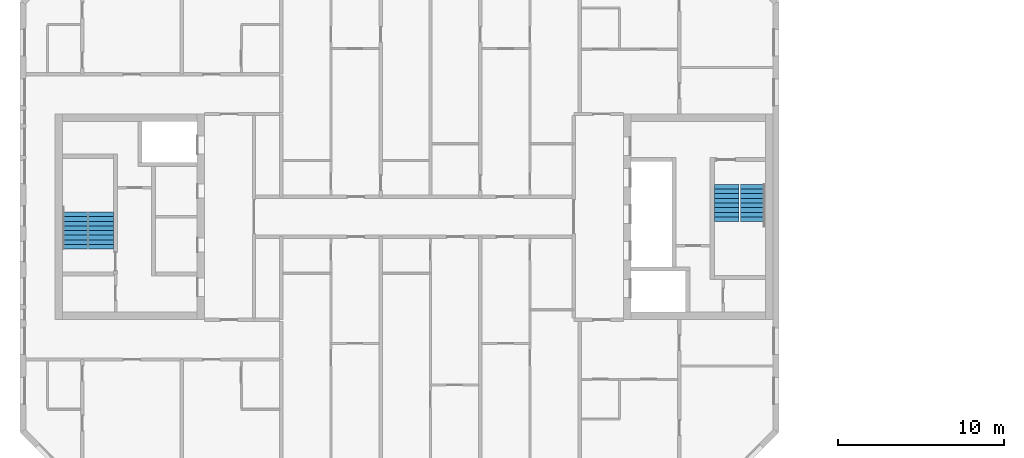
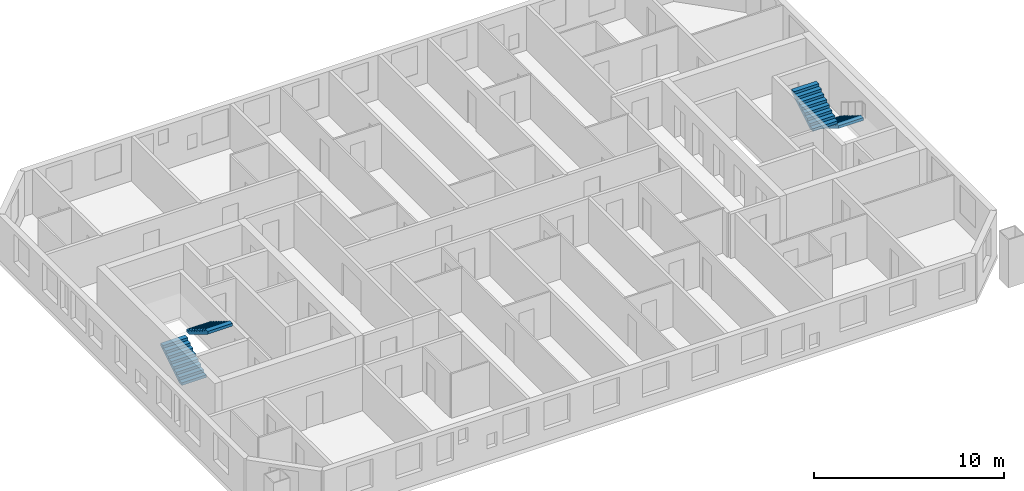
# One storey, part 15 of 16: 4 stair flights, 2 elements without a shape of their own.
"""IFC4 building model written with IfcOpenShell, lengths in metres."""

import ifcopenshell
import ifcopenshell.guid

model = None  # the IFC model being written
_history = None  # IfcOwnerHistory: only IFC2X3 demands one
_inside = {}  # id of a spatial element -> (the spatial element, [elements in it])
_under = {}  # id of a project, library or spatial element -> (it, [spatial elements below it])
_declared = {}  # id of a project -> (the project, [libraries it declares])
_typed = {}  # id of a type object -> (the type object, [elements of that type])
_made_of = {}  # id of a material, layer set ... -> (it, [elements and type objects made of it])


def new_model(schema):
    """Start an empty IFC model of exactly this schema.

    Asked for "IFC4X3", IfcOpenShell would pick the latest addendum, in which some entities
    have other attributes; the version numbers below select the first issue.
    IFC2X3 requires an IfcOwnerHistory on every rooted entity: one is made here for all.
    """
    global model, _history
    if schema == "IFC4X3":
        model = ifcopenshell.file(schema_version=(4, 3, 0, 0))
    else:
        model = ifcopenshell.file(schema=schema)
    _inside.clear()
    _under.clear()
    _declared.clear()
    _typed.clear()
    _made_of.clear()
    _history = None
    if model.schema == "IFC2X3":
        org = make("IfcOrganization", Name="unknown")
        user = make(
            "IfcPersonAndOrganization",
            ThePerson=make("IfcPerson", FamilyName="unknown"),
            TheOrganization=org,
        )
        app = make(
            "IfcApplication",
            ApplicationDeveloper=org,
            Version="unknown",
            ApplicationFullName="unknown",
            ApplicationIdentifier="unknown",
        )
        _history = make(
            "IfcOwnerHistory",
            OwningUser=user,
            OwningApplication=app,
            ChangeAction="ADDED",
            CreationDate=0,
        )
    return model


def make(cls, **values):
    """One entity of the class cls with the attributes given. An attribute that is None is left unset."""
    return model.create_entity(
        cls, **{name: value for name, value in values.items() if value is not None}
    )


def rooted(cls, **values):
    """An entity with a GlobalId (a new one), such as an element, a storey or a relation."""
    return make(cls, GlobalId=ifcopenshell.guid.new(), OwnerHistory=_history, **values)


def si_unit(unit_type, name, prefix=None):
    """IfcSIUnit, for example si_unit("LENGTHUNIT", "METRE", prefix="MILLI")."""
    return make("IfcSIUnit", UnitType=unit_type, Prefix=prefix, Name=name)


def assignment(units):
    """IfcUnitAssignment: the units of a project."""
    return None if units is None else make("IfcUnitAssignment", Units=units)


def point(xyz):
    """IfcCartesianPoint."""
    return None if xyz is None else make("IfcCartesianPoint", Coordinates=xyz)


def direction(xyz):
    """IfcDirection."""
    return None if xyz is None else make("IfcDirection", DirectionRatios=xyz)


def frame(location, z_axis=None, x_axis=None):
    """IfcAxis2Placement3D, a coordinate frame: its origin and axes. An axis left out is left unset."""
    return make(
        "IfcAxis2Placement3D",
        Location=point(location),
        Axis=direction(z_axis),
        RefDirection=direction(x_axis),
    )


def origin():
    """The frame at (0, 0, 0) with its axes left unset."""
    return frame((0.0, 0.0, 0.0))


def place(relative_to, where):
    """IfcLocalPlacement: puts the frame where relative to a parent placement (None: the world)."""
    return make(
        "IfcLocalPlacement", PlacementRelTo=relative_to, RelativePlacement=where
    )


def context(
    kind, dimensions, precision=None, world=None, true_north=None, identifier=None
):
    """IfcGeometricRepresentationContext, for example the 3D "Model" context."""
    return make(
        "IfcGeometricRepresentationContext",
        ContextIdentifier=identifier,
        ContextType=kind,
        CoordinateSpaceDimension=dimensions,
        Precision=precision,
        WorldCoordinateSystem=world,
        TrueNorth=true_north,
    )


def subcontext(parent, identifier, kind, view, scale=None):
    """IfcGeometricRepresentationSubContext, for example "Body" below "Model"."""
    return make(
        "IfcGeometricRepresentationSubContext",
        ContextIdentifier=identifier,
        ContextType=kind,
        ParentContext=parent,
        TargetScale=scale,
        TargetView=view,
    )


def project(units=None, contexts=None):
    """IfcProject with its units and contexts."""
    return rooted(
        "IfcProject",
        Name="project",
        RepresentationContexts=contexts,
        UnitsInContext=assignment(units),
    )


def spatial(cls, under=None, at=None, **own):
    """A site, building, storey or space (cls), placed at a placement, below another one or the project."""
    s = rooted(cls, ObjectPlacement=at, **own)
    if under is not None:
        _under.setdefault(under.id(), (under, []))[1].append(s)
    return s


def faces_of(points, faces, orient=None, outer=None):
    """IfcFace entities. A face is a list of loops; a loop is a list of indices into points, from 0.

    orient and outer hold one flag for each loop. By default every Orientation is true, the
    first loop of a face is its IfcFaceOuterBound and the others are IfcFaceBound.
    """
    made = []
    for i, loops in enumerate(faces):
        bounds = []
        for j, loop in enumerate(loops):
            is_outer = j == 0 if outer is None else outer[i][j]
            bounds.append(
                make(
                    "IfcFaceOuterBound" if is_outer else "IfcFaceBound",
                    Bound=make("IfcPolyLoop", Polygon=[points[k] for k in loop]),
                    Orientation=True if orient is None else orient[i][j],
                )
            )
        made.append(make("IfcFace", Bounds=bounds))
    return made


def faceted_brep(points, faces, orient=None, outer=None, voids=None):
    """IfcFacetedBrep: a solid bounded by flat faces; with voids (closed shells), ...WithVoids."""
    shared = [point(p) for p in points]
    hull = make("IfcClosedShell", CfsFaces=faces_of(shared, faces, orient, outer))
    if voids is None:
        return make("IfcFacetedBrep", Outer=hull)
    return make(
        "IfcFacetedBrepWithVoids",
        Outer=hull,
        Voids=[
            make(cls, CfsFaces=faces_of(shared, fs, o, b)) for cls, fs, o, b in voids
        ],
    )


def shape(context_of_items, identifier, shape_type, items):
    """IfcShapeRepresentation: the items that make up one representation, for example the "Body"."""
    return make(
        "IfcShapeRepresentation",
        ContextOfItems=context_of_items,
        RepresentationIdentifier=identifier,
        RepresentationType=shape_type,
        Items=items,
    )


def material(Name=None, Category=None):
    """IfcMaterial."""
    return make("IfcMaterial", Name=Name, Category=Category)


def made_of(thing, what):
    """Note that an element or type object is made of a material, layer set ...; save() writes the relation."""
    if what is not None:
        _made_of.setdefault(what.id(), (what, []))[1].append(thing)
    return thing


def type_object(cls, material=None, **own):
    """A type object (cls), such as IfcWallType, which elements share."""
    return made_of(rooted(cls, **own), material)


def element(
    cls,
    number,
    at=None,
    inside=None,
    cuts=None,
    type_object=None,
    material=None,
    context=None,
    identifier="Body",
    shape_type=None,
    held_by="IfcProductDefinitionShape",
    body=None,
    shapes=None,
    **own,
):
    """One element of the class cls, such as IfcWall. Its Tag is "e" and its number.

    at: its placement. inside: the storey or other place that contains it. cuts: it is an
    opening in that element (IfcRelVoidsElement). A single representation is given by context,
    identifier, shape_type and body (its items); several are given by shapes. held_by: the class
    of the entity that holds the representations. save() writes the other relations.
    """
    e = rooted(cls, Tag="e%d" % number, ObjectPlacement=at, **own)
    if body is not None:
        shapes = [shape(context, identifier, shape_type, body)]
    if shapes is not None:
        e.Representation = make(held_by, Representations=shapes)
    if inside is not None:
        _inside.setdefault(inside.id(), (inside, []))[1].append(e)
    if cuts is not None:
        rooted(
            "IfcRelVoidsElement", RelatingBuildingElement=cuts, RelatedOpeningElement=e
        )
    if type_object is not None:
        _typed.setdefault(type_object.id(), (type_object, []))[1].append(e)
    return made_of(e, material)


def aggregate(whole, parts):
    """IfcRelAggregates: a whole, such as a stair, and the parts it consists of."""
    return rooted("IfcRelAggregates", RelatingObject=whole, RelatedObjects=parts)


def save(model, path):
    """Write the relations noted so far, then the file.

    IfcRelAggregates (storeys below a building ...), IfcRelContainedInSpatialStructure (elements
    in a storey), IfcRelDefinesByType, IfcRelAssociatesMaterial and IfcRelDeclares: one each for
    every whole, place, type object, material and project.
    """
    for whole, parts in _under.values():
        aggregate(whole, parts)
    for where, things in _inside.values():
        rooted(
            "IfcRelContainedInSpatialStructure",
            RelatedElements=things,
            RelatingStructure=where,
        )
    for kind, things in _typed.values():
        rooted("IfcRelDefinesByType", RelatedObjects=things, RelatingType=kind)
    for what, things in _made_of.values():
        rooted("IfcRelAssociatesMaterial", RelatedObjects=things, RelatingMaterial=what)
    for by, libraries in _declared.values():
        rooted("IfcRelDeclares", RelatingContext=by, RelatedDefinitions=libraries)
    model.write(path)


model = new_model("IFC4")

# Units and contexts
model_context = context("Model", 3, precision=1e-05, world=origin(), true_north=direction((0.0, 1.0)))
body_context = subcontext(model_context, "Body", "Model", "MODEL_VIEW")
ifc_project = project(units=[si_unit("LENGTHUNIT", "METRE"), si_unit("AREAUNIT", "SQUARE_METRE"), si_unit("VOLUMEUNIT", "CUBIC_METRE"), si_unit("PLANEANGLEUNIT", "RADIAN"), si_unit("MASSUNIT", "GRAM", prefix="KILO")], contexts=[model_context])

# Site, building, storey
site_placement = place(None, origin())
site = spatial("IfcSite", under=ifc_project, at=site_placement, CompositionType="ELEMENT")
building_placement = place(site_placement, origin())
building = spatial("IfcBuilding", under=site, at=building_placement, Name="Tuart Gate Housing", CompositionType="ELEMENT")
storey_placement = place(building_placement, frame((0.0, 0.0, 182.0)))
storey = spatial("IfcBuildingStorey", under=building, at=storey_placement, Name="L51", CompositionType="ELEMENT", Elevation=182.0)

# Stair, stair flights
ifc_material_1 = material(Name="Concrete C40", Category="concrete")
stair_type = type_object("IfcStairType", Name="Core stair 1500", PredefinedType="HALF_TURN_STAIR", material=ifc_material_1)
stair_1_placement = place(storey_placement, origin())
stair_1 = element("IfcStair", 1, at=stair_1_placement, inside=storey, type_object=stair_type, Name="Stair SA1", PredefinedType="HALF_TURN_STAIR")
ifc_material_2 = material(Name="Concrete C40", Category="concrete")
stair_flight_type = type_object("IfcStairFlightType", Name="Stair flight 1500, 9 risers 172 x 280", PredefinedType="STRAIGHT", material=ifc_material_2)
stair_flight_1_placement = place(storey_placement, frame((74.43994140625, 71.949951171875, 0.0), z_axis=(0.0, 0.0, 1.0), x_axis=(0.0, -1.0, 0.0)))
stair_flight_1 = element("IfcStairFlight", 2, at=stair_flight_1_placement, type_object=stair_flight_type, Name="SA1 flight 1", NumberOfRisers=9, NumberOfTreads=8, PredefinedType="STRAIGHT", RiserHeight=0.172222222, TreadLength=0.28, context=body_context, shape_type="Brep", body=[
    faceted_brep([(0.0, 0.75, 0.0), (0.0, 0.75, 0.172119140625), (0.280029296875, 0.75, 0.172119140625), (0.280029296875, 0.75, 0.344482421875), (0.56005859375, 0.75, 0.344482421875), (0.56005859375, 0.75, 0.5166015625), (0.840087890625, 0.75, 0.5166015625), (0.840087890625, 0.75, 0.68896484375), (1.1201171875, 0.75, 0.68896484375), (1.1201171875, 0.75, 0.861083984375), (1.39990234375, 0.75, 0.861083984375), (1.39990234375, 0.75, 1.033447265625), (1.679931640625, 0.75, 1.033447265625), (1.679931640625, 0.75, 1.20556640625), (1.9599609375, 0.75, 1.20556640625), (1.9599609375, 0.75, 1.377685546875), (2.239990234375, 0.75, 1.377685546875), (2.239990234375, 0.75, 1.201904296875), (0.2861328125, 0.75, 0.0), (0.2861328125, -0.75, 0.0), (2.239990234375, -0.75, 1.201904296875), (2.239990234375, -0.75, 1.377685546875), (1.9599609375, -0.75, 1.377685546875), (1.9599609375, -0.75, 1.20556640625), (1.679931640625, -0.75, 1.20556640625), (1.679931640625, -0.75, 1.033447265625), (1.39990234375, -0.75, 1.033447265625), (1.39990234375, -0.75, 0.861083984375), (1.1201171875, -0.75, 0.861083984375), (1.1201171875, -0.75, 0.68896484375), (0.840087890625, -0.75, 0.68896484375), (0.840087890625, -0.75, 0.5166015625), (0.56005859375, -0.75, 0.5166015625), (0.56005859375, -0.75, 0.344482421875), (0.280029296875, -0.75, 0.344482421875), (0.280029296875, -0.75, 0.172119140625), (0.0, -0.75, 0.172119140625), (0.0, -0.75, 0.0), (2.239990234375, 0.0, 1.201904296875), (0.2861328125, 0.0, 0.0), (2.239990234375, 0.0, 1.377685546875), (1.9599609375, 0.0, 1.377685546875), (1.9599609375, 0.0, 1.20556640625), (1.679931640625, 0.0, 1.20556640625), (1.679931640625, 0.0, 1.033447265625), (1.39990234375, 0.0, 1.033447265625), (1.39990234375, 0.0, 0.861083984375), (1.1201171875, 0.0, 0.861083984375), (1.1201171875, 0.0, 0.68896484375), (0.840087890625, 0.0, 0.68896484375), (0.840087890625, 0.0, 0.5166015625), (0.56005859375, 0.0, 0.5166015625), (0.56005859375, 0.0, 0.344482421875), (0.280029296875, 0.0, 0.344482421875), (0.280029296875, 0.0, 0.172119140625), (0.0, 0.0, 0.172119140625), (0.0, 0.0, 0.0)], [[[0, 1, 2, 3, 4, 5, 6, 7, 8, 9, 10, 11, 12, 13, 14, 15, 16, 17, 18]], [[19, 20, 21, 22, 23, 24, 25, 26, 27, 28, 29, 30, 31, 32, 33, 34, 35, 36, 37]], [[18, 17, 38, 39]], [[39, 38, 20, 19]], [[17, 16, 40, 38]], [[38, 40, 21, 20]], [[16, 15, 41, 40]], [[40, 41, 22, 21]], [[15, 14, 42, 41]], [[41, 42, 23, 22]], [[14, 13, 43, 42]], [[42, 43, 24, 23]], [[13, 12, 44, 43]], [[43, 44, 25, 24]], [[12, 11, 45, 44]], [[44, 45, 26, 25]], [[11, 10, 46, 45]], [[45, 46, 27, 26]], [[10, 9, 47, 46]], [[46, 47, 28, 27]], [[9, 8, 48, 47]], [[47, 48, 29, 28]], [[8, 7, 49, 48]], [[48, 49, 30, 29]], [[7, 6, 50, 49]], [[49, 50, 31, 30]], [[6, 5, 51, 50]], [[50, 51, 32, 31]], [[5, 4, 52, 51]], [[51, 52, 33, 32]], [[4, 3, 53, 52]], [[52, 53, 34, 33]], [[3, 2, 54, 53]], [[53, 54, 35, 34]], [[2, 1, 55, 54]], [[54, 55, 36, 35]], [[1, 0, 56, 55]], [[55, 56, 37, 36]], [[0, 18, 39, 56]], [[56, 39, 19, 37]]]),
])
stair_flight_2_placement = place(storey_placement, frame((72.864990234375, 69.7099609375, 1.550048828125), z_axis=(0.0, 0.0, 1.0), x_axis=(0.0, 1.0, 0.0)))
stair_flight_2 = element("IfcStairFlight", 3, at=stair_flight_2_placement, type_object=stair_flight_type, Name="SA1 flight 2", NumberOfRisers=9, NumberOfTreads=8, PredefinedType="STRAIGHT", RiserHeight=0.172222222, TreadLength=0.28, context=body_context, shape_type="Brep", body=[
    faceted_brep([(0.0, 0.75, 0.0), (0.0, 0.75, 0.172119140625), (0.280029296875, 0.75, 0.172119140625), (0.280029296875, 0.75, 0.344482421875), (0.56005859375, 0.75, 0.344482421875), (0.56005859375, 0.75, 0.5166015625), (0.840087890625, 0.75, 0.5166015625), (0.840087890625, 0.75, 0.68896484375), (1.1201171875, 0.75, 0.68896484375), (1.1201171875, 0.75, 0.861083984375), (1.39990234375, 0.75, 0.861083984375), (1.39990234375, 0.75, 1.033447265625), (1.679931640625, 0.75, 1.033447265625), (1.679931640625, 0.75, 1.20556640625), (1.9599609375, 0.75, 1.20556640625), (1.9599609375, 0.75, 1.377685546875), (2.239990234375, 0.75, 1.377685546875), (2.239990234375, 0.75, 1.201904296875), (0.2861328125, 0.75, 0.0), (0.2861328125, -0.75, 0.0), (2.239990234375, -0.75, 1.201904296875), (2.239990234375, -0.75, 1.377685546875), (1.9599609375, -0.75, 1.377685546875), (1.9599609375, -0.75, 1.20556640625), (1.679931640625, -0.75, 1.20556640625), (1.679931640625, -0.75, 1.033447265625), (1.39990234375, -0.75, 1.033447265625), (1.39990234375, -0.75, 0.861083984375), (1.1201171875, -0.75, 0.861083984375), (1.1201171875, -0.75, 0.68896484375), (0.840087890625, -0.75, 0.68896484375), (0.840087890625, -0.75, 0.5166015625), (0.56005859375, -0.75, 0.5166015625), (0.56005859375, -0.75, 0.344482421875), (0.280029296875, -0.75, 0.344482421875), (0.280029296875, -0.75, 0.172119140625), (0.0, -0.75, 0.172119140625), (0.0, -0.75, 0.0), (2.239990234375, 0.0, 1.201904296875), (0.2861328125, 0.0, 0.0), (2.239990234375, 0.0, 1.377685546875), (1.9599609375, 0.0, 1.377685546875), (1.9599609375, 0.0, 1.20556640625), (1.679931640625, 0.0, 1.20556640625), (1.679931640625, 0.0, 1.033447265625), (1.39990234375, 0.0, 1.033447265625), (1.39990234375, 0.0, 0.861083984375), (1.1201171875, 0.0, 0.861083984375), (1.1201171875, 0.0, 0.68896484375), (0.840087890625, 0.0, 0.68896484375), (0.840087890625, 0.0, 0.5166015625), (0.56005859375, 0.0, 0.5166015625), (0.56005859375, 0.0, 0.344482421875), (0.280029296875, 0.0, 0.344482421875), (0.280029296875, 0.0, 0.172119140625), (0.0, 0.0, 0.172119140625), (0.0, 0.0, 0.0)], [[[0, 1, 2, 3, 4, 5, 6, 7, 8, 9, 10, 11, 12, 13, 14, 15, 16, 17, 18]], [[19, 20, 21, 22, 23, 24, 25, 26, 27, 28, 29, 30, 31, 32, 33, 34, 35, 36, 37]], [[18, 17, 38, 39]], [[39, 38, 20, 19]], [[17, 16, 40, 38]], [[38, 40, 21, 20]], [[16, 15, 41, 40]], [[40, 41, 22, 21]], [[15, 14, 42, 41]], [[41, 42, 23, 22]], [[14, 13, 43, 42]], [[42, 43, 24, 23]], [[13, 12, 44, 43]], [[43, 44, 25, 24]], [[12, 11, 45, 44]], [[44, 45, 26, 25]], [[11, 10, 46, 45]], [[45, 46, 27, 26]], [[10, 9, 47, 46]], [[46, 47, 28, 27]], [[9, 8, 48, 47]], [[47, 48, 29, 28]], [[8, 7, 49, 48]], [[48, 49, 30, 29]], [[7, 6, 50, 49]], [[49, 50, 31, 30]], [[6, 5, 51, 50]], [[50, 51, 32, 31]], [[5, 4, 52, 51]], [[51, 52, 33, 32]], [[4, 3, 53, 52]], [[52, 53, 34, 33]], [[3, 2, 54, 53]], [[53, 54, 35, 34]], [[2, 1, 55, 54]], [[54, 55, 36, 35]], [[1, 0, 56, 55]], [[55, 56, 37, 36]], [[0, 18, 39, 56]], [[56, 39, 19, 37]]]),
])
aggregate(stair_1, [stair_flight_1, stair_flight_2])

stair_2_placement = place(storey_placement, origin())
stair_2 = element("IfcStair", 4, at=stair_2_placement, inside=storey, type_object=stair_type, Name="Stair SA2", PredefinedType="HALF_TURN_STAIR")
stair_flight_3_placement = place(storey_placement, frame((33.56005859375, 68.050048828125, 0.0), z_axis=(0.0, 0.0, 1.0), x_axis=(0.0, 1.0, 0.0)))
stair_flight_3 = element("IfcStairFlight", 5, at=stair_flight_3_placement, type_object=stair_flight_type, Name="SA2 flight 1", NumberOfRisers=9, NumberOfTreads=8, PredefinedType="STRAIGHT", RiserHeight=0.172222222, TreadLength=0.28, context=body_context, shape_type="Brep", body=[
    faceted_brep([(0.0, 0.75, 0.0), (0.0, 0.75, 0.172119140625), (0.280029296875, 0.75, 0.172119140625), (0.280029296875, 0.75, 0.344482421875), (0.56005859375, 0.75, 0.344482421875), (0.56005859375, 0.75, 0.5166015625), (0.840087890625, 0.75, 0.5166015625), (0.840087890625, 0.75, 0.68896484375), (1.1201171875, 0.75, 0.68896484375), (1.1201171875, 0.75, 0.861083984375), (1.39990234375, 0.75, 0.861083984375), (1.39990234375, 0.75, 1.033447265625), (1.679931640625, 0.75, 1.033447265625), (1.679931640625, 0.75, 1.20556640625), (1.9599609375, 0.75, 1.20556640625), (1.9599609375, 0.75, 1.377685546875), (2.239990234375, 0.75, 1.377685546875), (2.239990234375, 0.75, 1.201904296875), (0.2861328125, 0.75, 0.0), (0.2861328125, -0.75, 0.0), (2.239990234375, -0.75, 1.201904296875), (2.239990234375, -0.75, 1.377685546875), (1.9599609375, -0.75, 1.377685546875), (1.9599609375, -0.75, 1.20556640625), (1.679931640625, -0.75, 1.20556640625), (1.679931640625, -0.75, 1.033447265625), (1.39990234375, -0.75, 1.033447265625), (1.39990234375, -0.75, 0.861083984375), (1.1201171875, -0.75, 0.861083984375), (1.1201171875, -0.75, 0.68896484375), (0.840087890625, -0.75, 0.68896484375), (0.840087890625, -0.75, 0.5166015625), (0.56005859375, -0.75, 0.5166015625), (0.56005859375, -0.75, 0.344482421875), (0.280029296875, -0.75, 0.344482421875), (0.280029296875, -0.75, 0.172119140625), (0.0, -0.75, 0.172119140625), (0.0, -0.75, 0.0), (2.239990234375, 0.0, 1.201904296875), (0.2861328125, 0.0, 0.0), (2.239990234375, 0.0, 1.377685546875), (1.9599609375, 0.0, 1.377685546875), (1.9599609375, 0.0, 1.20556640625), (1.679931640625, 0.0, 1.20556640625), (1.679931640625, 0.0, 1.033447265625), (1.39990234375, 0.0, 1.033447265625), (1.39990234375, 0.0, 0.861083984375), (1.1201171875, 0.0, 0.861083984375), (1.1201171875, 0.0, 0.68896484375), (0.840087890625, 0.0, 0.68896484375), (0.840087890625, 0.0, 0.5166015625), (0.56005859375, 0.0, 0.5166015625), (0.56005859375, 0.0, 0.344482421875), (0.280029296875, 0.0, 0.344482421875), (0.280029296875, 0.0, 0.172119140625), (0.0, 0.0, 0.172119140625), (0.0, 0.0, 0.0)], [[[0, 1, 2, 3, 4, 5, 6, 7, 8, 9, 10, 11, 12, 13, 14, 15, 16, 17, 18]], [[19, 20, 21, 22, 23, 24, 25, 26, 27, 28, 29, 30, 31, 32, 33, 34, 35, 36, 37]], [[18, 17, 38, 39]], [[39, 38, 20, 19]], [[17, 16, 40, 38]], [[38, 40, 21, 20]], [[16, 15, 41, 40]], [[40, 41, 22, 21]], [[15, 14, 42, 41]], [[41, 42, 23, 22]], [[14, 13, 43, 42]], [[42, 43, 24, 23]], [[13, 12, 44, 43]], [[43, 44, 25, 24]], [[12, 11, 45, 44]], [[44, 45, 26, 25]], [[11, 10, 46, 45]], [[45, 46, 27, 26]], [[10, 9, 47, 46]], [[46, 47, 28, 27]], [[9, 8, 48, 47]], [[47, 48, 29, 28]], [[8, 7, 49, 48]], [[48, 49, 30, 29]], [[7, 6, 50, 49]], [[49, 50, 31, 30]], [[6, 5, 51, 50]], [[50, 51, 32, 31]], [[5, 4, 52, 51]], [[51, 52, 33, 32]], [[4, 3, 53, 52]], [[52, 53, 34, 33]], [[3, 2, 54, 53]], [[53, 54, 35, 34]], [[2, 1, 55, 54]], [[54, 55, 36, 35]], [[1, 0, 56, 55]], [[55, 56, 37, 36]], [[0, 18, 39, 56]], [[56, 39, 19, 37]]]),
])
stair_flight_4_placement = place(storey_placement, frame((35.135009765625, 70.2900390625, 1.550048828125), z_axis=(0.0, 0.0, 1.0), x_axis=(0.0, -1.0, 0.0)))
stair_flight_4 = element("IfcStairFlight", 6, at=stair_flight_4_placement, type_object=stair_flight_type, Name="SA2 flight 2", NumberOfRisers=9, NumberOfTreads=8, PredefinedType="STRAIGHT", RiserHeight=0.172222222, TreadLength=0.28, context=body_context, shape_type="Brep", body=[
    faceted_brep([(0.0, 0.75, 0.0), (0.0, 0.75, 0.172119140625), (0.280029296875, 0.75, 0.172119140625), (0.280029296875, 0.75, 0.344482421875), (0.56005859375, 0.75, 0.344482421875), (0.56005859375, 0.75, 0.5166015625), (0.840087890625, 0.75, 0.5166015625), (0.840087890625, 0.75, 0.68896484375), (1.1201171875, 0.75, 0.68896484375), (1.1201171875, 0.75, 0.861083984375), (1.39990234375, 0.75, 0.861083984375), (1.39990234375, 0.75, 1.033447265625), (1.679931640625, 0.75, 1.033447265625), (1.679931640625, 0.75, 1.20556640625), (1.9599609375, 0.75, 1.20556640625), (1.9599609375, 0.75, 1.377685546875), (2.239990234375, 0.75, 1.377685546875), (2.239990234375, 0.75, 1.201904296875), (0.2861328125, 0.75, 0.0), (0.2861328125, -0.75, 0.0), (2.239990234375, -0.75, 1.201904296875), (2.239990234375, -0.75, 1.377685546875), (1.9599609375, -0.75, 1.377685546875), (1.9599609375, -0.75, 1.20556640625), (1.679931640625, -0.75, 1.20556640625), (1.679931640625, -0.75, 1.033447265625), (1.39990234375, -0.75, 1.033447265625), (1.39990234375, -0.75, 0.861083984375), (1.1201171875, -0.75, 0.861083984375), (1.1201171875, -0.75, 0.68896484375), (0.840087890625, -0.75, 0.68896484375), (0.840087890625, -0.75, 0.5166015625), (0.56005859375, -0.75, 0.5166015625), (0.56005859375, -0.75, 0.344482421875), (0.280029296875, -0.75, 0.344482421875), (0.280029296875, -0.75, 0.172119140625), (0.0, -0.75, 0.172119140625), (0.0, -0.75, 0.0), (2.239990234375, 0.0, 1.201904296875), (0.2861328125, 0.0, 0.0), (2.239990234375, 0.0, 1.377685546875), (1.9599609375, 0.0, 1.377685546875), (1.9599609375, 0.0, 1.20556640625), (1.679931640625, 0.0, 1.20556640625), (1.679931640625, 0.0, 1.033447265625), (1.39990234375, 0.0, 1.033447265625), (1.39990234375, 0.0, 0.861083984375), (1.1201171875, 0.0, 0.861083984375), (1.1201171875, 0.0, 0.68896484375), (0.840087890625, 0.0, 0.68896484375), (0.840087890625, 0.0, 0.5166015625), (0.56005859375, 0.0, 0.5166015625), (0.56005859375, 0.0, 0.344482421875), (0.280029296875, 0.0, 0.344482421875), (0.280029296875, 0.0, 0.172119140625), (0.0, 0.0, 0.172119140625), (0.0, 0.0, 0.0)], [[[0, 1, 2, 3, 4, 5, 6, 7, 8, 9, 10, 11, 12, 13, 14, 15, 16, 17, 18]], [[19, 20, 21, 22, 23, 24, 25, 26, 27, 28, 29, 30, 31, 32, 33, 34, 35, 36, 37]], [[18, 17, 38, 39]], [[39, 38, 20, 19]], [[17, 16, 40, 38]], [[38, 40, 21, 20]], [[16, 15, 41, 40]], [[40, 41, 22, 21]], [[15, 14, 42, 41]], [[41, 42, 23, 22]], [[14, 13, 43, 42]], [[42, 43, 24, 23]], [[13, 12, 44, 43]], [[43, 44, 25, 24]], [[12, 11, 45, 44]], [[44, 45, 26, 25]], [[11, 10, 46, 45]], [[45, 46, 27, 26]], [[10, 9, 47, 46]], [[46, 47, 28, 27]], [[9, 8, 48, 47]], [[47, 48, 29, 28]], [[8, 7, 49, 48]], [[48, 49, 30, 29]], [[7, 6, 50, 49]], [[49, 50, 31, 30]], [[6, 5, 51, 50]], [[50, 51, 32, 31]], [[5, 4, 52, 51]], [[51, 52, 33, 32]], [[4, 3, 53, 52]], [[52, 53, 34, 33]], [[3, 2, 54, 53]], [[53, 54, 35, 34]], [[2, 1, 55, 54]], [[54, 55, 36, 35]], [[1, 0, 56, 55]], [[55, 56, 37, 36]], [[0, 18, 39, 56]], [[56, 39, 19, 37]]]),
])
aggregate(stair_2, [stair_flight_3, stair_flight_4])

save(model, "model.ifc")
